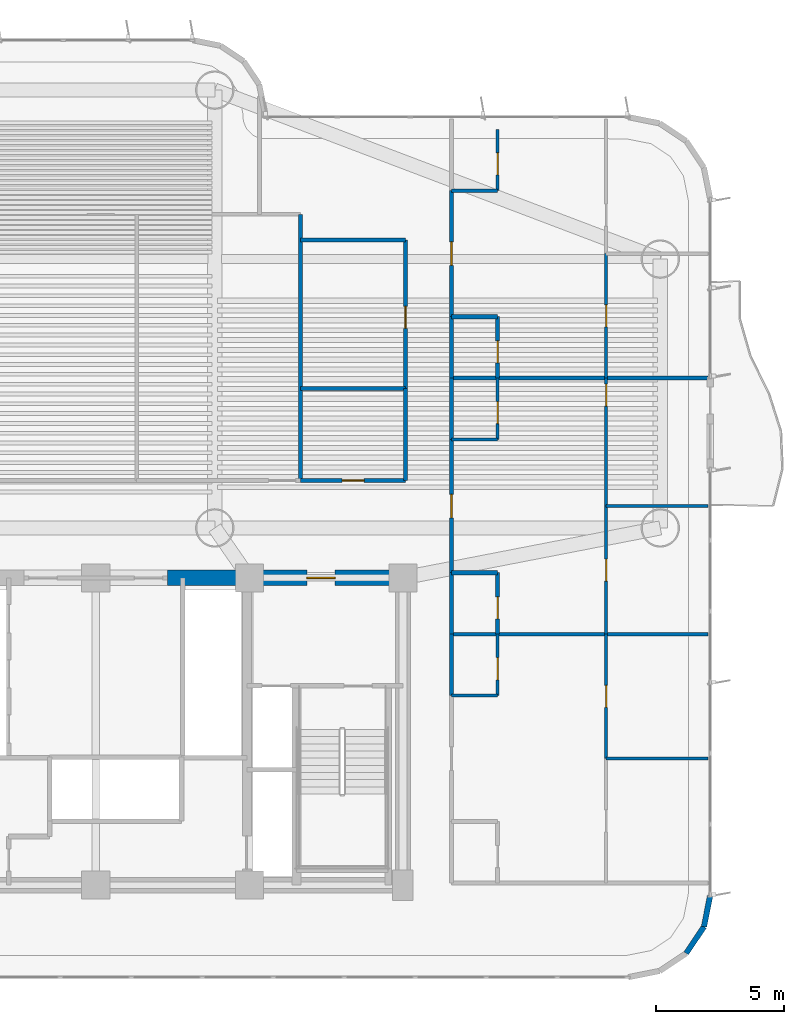
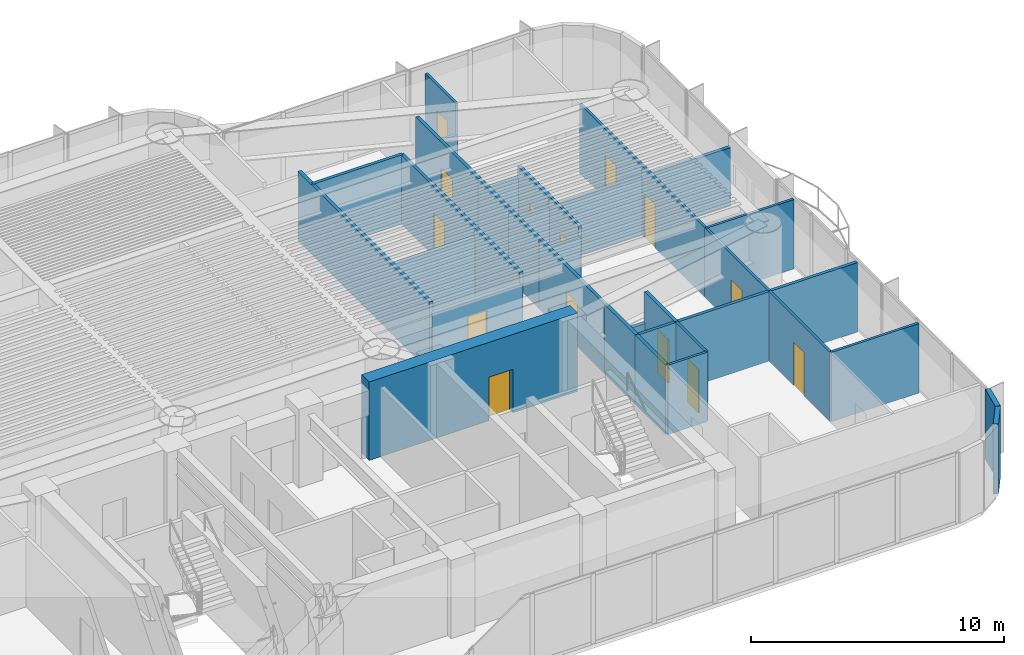
# One storey, part 11 of 17: 33 walls, 14 doors, 14 openings.
"""IFC4 building model written with IfcOpenShell, lengths in metres."""

from ifc_helpers import new_model, si_unit, direction, frame, frame_2d, origin, origin_2d, place, context, subcontext, project, spatial, rectangle, extrude, source, transform, mapped, material, layer, layer_set, type_object, element, fill, save


model = new_model("IFC4")

# Units and contexts
model_context = context("Model", 3, precision=1e-05, world=origin(), true_north=direction((0.0, 1.0)))
body_context = subcontext(model_context, "Body", "Model", "MODEL_VIEW")
ifc_project = project(units=[si_unit("LENGTHUNIT", "METRE"), si_unit("AREAUNIT", "SQUARE_METRE"), si_unit("VOLUMEUNIT", "CUBIC_METRE"), si_unit("PLANEANGLEUNIT", "RADIAN"), si_unit("MASSUNIT", "GRAM", prefix="KILO")], contexts=[model_context])

# Site, building, storey
site_placement = place(None, origin())
site = spatial("IfcSite", under=ifc_project, at=site_placement, CompositionType="ELEMENT")
building_placement = place(site_placement, origin())
building = spatial("IfcBuilding", under=site, at=building_placement, Name="Brelvock Crest Care Tower", CompositionType="ELEMENT")
storey_placement = place(building_placement, frame((0.0, 0.0, 76.139892578125)))
storey = spatial("IfcBuildingStorey", under=building, at=storey_placement, Name="L19", CompositionType="ELEMENT", Elevation=76.139892578125)

# Wall, opening, door
ifc_material_1 = material(Name="Concrete S80 (80 MPa)", Category="concrete")
ifc_layer_1 = layer(ifc_material_1, 0.60009765625, Name="WL-CS1")
ifc_layer_set_1 = layer_set([ifc_layer_1], Name="Concrete S80 (80 MPa)")
wall_type_1 = type_object("IfcWallType", Name="WL-CS1", PredefinedType="SHEAR", material=ifc_layer_set_1)
wall_1_placement = place(storey_placement, frame((38.800048828125, 18.0, 0.0), z_axis=(0.0, 0.0, 1.0), x_axis=(1.0, 0.0, 0.0)))
wall_1 = element("IfcWall", 1, at=wall_1_placement, inside=storey, type_object=wall_type_1, Name="L19 Core North-East Shear Wall", PredefinedType="SHEAR", context=body_context, shape_type="SweptSolid", body=[
    extrude(rectangle(XDim=9.5, YDim=0.60009765625, at=frame_2d((4.75, 0.0))), origin(), (0.0, 0.0, 1.0), 3.780029296875),
])
opening_1_placement = place(wall_1_placement, frame((5.449951171875, 0.0, 0.0)))
opening_1 = element("IfcOpeningElement", 2, at=opening_1_placement, cuts=wall_1, Name="Opening FD-1", PredefinedType="OPENING", context=body_context, shape_type="SweptSolid", body=[
    extrude(rectangle(XDim=1.10009765625, YDim=2.10009765625, at=origin_2d()), frame((0.550048828125, 0.31005859375, 1.050048828125), z_axis=(0.0, -1.0, 0.0), x_axis=(1.0, 0.0, 0.0)), (0.0, 0.0, 1.0), 0.6201171875),
])
ifc_material_2 = material(Name="Steel Grade 350", Category="steel")
door_type_1 = type_object("IfcDoorType", Name="DR-FFL1", OperationType="NOTDEFINED", PredefinedType="DOOR", material=ifc_material_2)
shared_shape_1 = source(origin(), body_context, "Body", "SweptSolid", [
    extrude(rectangle(XDim=1.10009765625, YDim=2.10009765625, at=origin_2d()), frame((0.550048828125, 0.02490234375, 1.050048828125), z_axis=(0.0, -1.0, 0.0), x_axis=(1.0, 0.0, 0.0)), (0.0, 0.0, 1.0), 0.050048828125),
])
door_1_placement = place(opening_1_placement, origin())
door_1 = element("IfcDoor", 3, at=door_1_placement, inside=storey, type_object=door_type_1, Name="L19 Firefighting Lobby FFL-2 Exit Door", OperationType="SINGLE_SWING_RIGHT", OverallHeight=2.10009765625, OverallWidth=1.10009765625, PredefinedType="DOOR", context=body_context, shape_type="MappedRepresentation", body=[
    mapped(shared_shape_1, transform((0.0, 0.0, 0.0), x_axis=(1.0, 0.0, 0.0), y_axis=(0.0, 1.0, 0.0), z_axis=(0.0, 0.0, 1.0), scale=1.0)),
])
fill(opening_1, door_1)

# Walls
ifc_material_3 = material(Name="Precast concrete N40 (40 MPa)", Category="concrete")
ifc_layer_2 = layer(ifc_material_3, 0.215087890625, Name="WL-EX2")
ifc_layer_set_2 = layer_set([ifc_layer_2], Name="Precast concrete N40 (40 MPa)")
wall_type_2 = type_object("IfcWallType", Name="WL-EX2", PredefinedType="SOLIDWALL", material=ifc_layer_set_2)
for number, where, z_axis, x_axis, name in (
    (4, (60.0, 5.60009765625, 0.0), (0.0, 0.0, 1.0), (-0.195138390419, -0.980775717779, 0.0), "L19 Rounded Corner Wall 04"),
    (5, (59.75634765625, 4.37548828125, 0.0), (0.0, 0.0, 1.0), (-0.555557312883, -0.831478245117, 0.0), "L19 Rounded Corner Wall 05"),
):
    element("IfcWall", number, at=place(storey_placement, frame(where, z_axis=z_axis, x_axis=x_axis)), inside=storey, type_object=wall_type_2, Name=name, PredefinedType="SOLIDWALL", context=body_context, shape_type="SweptSolid", body=[
        extrude(rectangle(XDim=1.24853515625, YDim=0.215087890625, at=frame_2d((0.624267578125, 0.0))), origin(), (0.0, 0.0, 1.0), 3.3720703125),
    ])
ifc_material_4 = material(Name="Masonry Blockwork Acoustic Partition", Category="masonry")
ifc_layer_3 = layer(ifc_material_4, 0.14990234375, Name="WL-INT1")
ifc_layer_set_3 = layer_set([ifc_layer_3], Name="Masonry Blockwork Acoustic Partition")
wall_type_3 = type_object("IfcWallType", Name="WL-INT1", PredefinedType="PARTITIONING", material=ifc_layer_set_3)
wall_2_placement = place(storey_placement, frame((49.89990234375, 15.800048828125, 0.0), z_axis=(0.0, 0.0, 1.0), x_axis=(1.0, 0.0, 0.0)))
element("IfcWall", 6, at=wall_2_placement, inside=storey, type_object=wall_type_3, Name="L19 Interior Wall WL-BX-L19-FL-EW1-N", PredefinedType="PARTITIONING", context=body_context, shape_type="SweptSolid", body=[
    extrude(rectangle(XDim=10.02001953125, YDim=0.14990234375, at=frame_2d((5.010009765625, 0.0))), origin(), (0.0, 0.0, 1.0), 3.342041015625),
])
wall_3_placement = place(storey_placement, frame((49.89990234375, 25.800048828125, 0.0), z_axis=(0.0, 0.0, 1.0), x_axis=(1.0, 0.0, 0.0)))
element("IfcWall", 7, at=wall_3_placement, inside=storey, type_object=wall_type_3, Name="L19 Interior Wall WL-BX-L19-FL-EW2-N", PredefinedType="PARTITIONING", context=body_context, shape_type="SweptSolid", body=[
    extrude(rectangle(XDim=10.02001953125, YDim=0.14990234375, at=frame_2d((5.010009765625, 0.0))), origin(), (0.0, 0.0, 1.0), 2.82421875),
])
wall_4_placement = place(storey_placement, frame((44.0, 31.199951171875, 0.0), z_axis=(0.0, 0.0, 1.0), x_axis=(1.0, 0.0, 0.0)))
element("IfcWall", 8, at=wall_4_placement, inside=storey, type_object=wall_type_3, Name="L19 Interior Wall WL-BX-L19-CKIT-N", PredefinedType="PARTITIONING", context=body_context, shape_type="SweptSolid", body=[
    extrude(rectangle(XDim=4.10009765625, YDim=0.14990234375, at=frame_2d((2.050048828125, 0.0))), origin(), (0.0, 0.0, 1.0), 3.342041015625),
])

# Wall, opening, door
wall_5_placement = place(storey_placement, frame((48.10009765625, 25.39990234375, 0.0), z_axis=(0.0, 0.0, 1.0), x_axis=(0.0, 1.0, 0.0)))
wall_5 = element("IfcWall", 9, at=wall_5_placement, inside=storey, type_object=wall_type_3, Name="L19 Interior Wall WL-RM-L19-CKIT", PredefinedType="PARTITIONING", context=body_context, shape_type="SweptSolid", body=[
    extrude(rectangle(XDim=5.800048828125, YDim=0.14990234375, at=frame_2d((2.89990234375, 0.0))), origin(), (0.0, 0.0, 1.0), 3.342041015625),
])
opening_2_placement = place(wall_5_placement, frame((2.340087890625, 0.0, 0.0)))
opening_2 = element("IfcOpeningElement", 10, at=opening_2_placement, cuts=wall_5, Name="Opening ID-1", PredefinedType="OPENING", context=body_context, shape_type="SweptSolid", body=[
    extrude(rectangle(XDim=0.860107421875, YDim=2.10009765625, at=origin_2d()), frame((0.43017578125, 0.0849609375, 1.050048828125), z_axis=(0.0, -1.0, 0.0), x_axis=(1.0, 0.0, 0.0)), (0.0, 0.0, 1.0), 0.169921875),
])
ifc_material_5 = material(Name="Engineered Hardwood Timber", Category="wood")
door_type_2 = type_object("IfcDoorType", Name="DR-INT1", OperationType="NOTDEFINED", PredefinedType="DOOR", material=ifc_material_5)
shared_shape_2 = source(origin(), body_context, "Body", "SweptSolid", [
    extrude(rectangle(XDim=0.860107421875, YDim=2.10009765625, at=origin_2d()), frame((0.43017578125, 0.02490234375, 1.050048828125), z_axis=(0.0, -1.0, 0.0), x_axis=(1.0, 0.0, 0.0)), (0.0, 0.0, 1.0), 0.050048828125),
])
door_2_placement = place(opening_2_placement, origin())
door_2 = element("IfcDoor", 11, at=door_2_placement, inside=storey, type_object=door_type_2, Name="L19 Neighbourhood Pantry Kitchen Door CKIT", OperationType="SINGLE_SWING_LEFT", OverallHeight=2.10009765625, OverallWidth=0.860107421875, PredefinedType="DOOR", context=body_context, shape_type="MappedRepresentation", body=[
    mapped(shared_shape_2, transform((0.0, 0.0, 0.0), x_axis=(1.0, 0.0, 0.0), y_axis=(0.0, 1.0, 0.0), z_axis=(0.0, 0.0, 1.0), scale=1.0)),
])
fill(opening_2, door_2)

# Wall
wall_6_placement = place(storey_placement, frame((49.89990234375, 13.39990234375, 0.0), z_axis=(0.0, 0.0, 1.0), x_axis=(0.0, 1.0, 0.0)))
element("IfcWall", 12, at=wall_6_placement, inside=storey, type_object=wall_type_3, Name="L19 Interior Wall WL-UCK-L19-EW1", PredefinedType="PARTITIONING", context=body_context, shape_type="SweptSolid", body=[
    extrude(rectangle(XDim=2.400146484375, YDim=0.14990234375, at=frame_2d((1.2001953125, 0.0))), origin(), (0.0, 0.0, 1.0), 3.342041015625),
])

# Wall, opening, door
wall_7_placement = place(storey_placement, frame((49.89990234375, 18.199951171875, 0.0), z_axis=(0.0, 0.0, 1.0), x_axis=(0.0, 1.0, 0.0)))
wall_7 = element("IfcWall", 13, at=wall_7_placement, inside=storey, type_object=wall_type_3, Name="L19 Interior Wall WL-UENT-L19-EW2", PredefinedType="PARTITIONING", context=body_context, shape_type="SweptSolid", body=[
    extrude(rectangle(XDim=5.199951171875, YDim=0.14990234375, at=frame_2d((2.60009765625, 0.0))), origin(), (0.0, 0.0, 1.0), 3.342041015625),
])
opening_3_placement = place(wall_7_placement, frame((2.139892578125, 0.0, 0.0)))
opening_3 = element("IfcOpeningElement", 14, at=opening_3_placement, cuts=wall_7, Name="Opening AD-1", PredefinedType="OPENING", context=body_context, shape_type="SweptSolid", body=[
    extrude(rectangle(XDim=0.919921875, YDim=2.10009765625, at=origin_2d()), frame((0.4599609375, 0.0849609375, 1.050048828125), z_axis=(0.0, -1.0, 0.0), x_axis=(1.0, 0.0, 0.0)), (0.0, 0.0, 1.0), 0.169921875),
])
door_type_3 = type_object("IfcDoorType", Name="DR-APT1", OperationType="NOTDEFINED", PredefinedType="DOOR", material=ifc_material_5)
shared_shape_3 = source(origin(), body_context, "Body", "SweptSolid", [
    extrude(rectangle(XDim=0.919921875, YDim=2.10009765625, at=origin_2d()), frame((0.4599609375, 0.02490234375, 1.050048828125), z_axis=(0.0, -1.0, 0.0), x_axis=(1.0, 0.0, 0.0)), (0.0, 0.0, 1.0), 0.050048828125),
])
door_3_placement = place(opening_3_placement, origin())
door_3 = element("IfcDoor", 15, at=door_3_placement, inside=storey, type_object=door_type_3, Name="L19 Apartment Entrance EW2", OperationType="SINGLE_SWING_LEFT", OverallHeight=2.10009765625, OverallWidth=0.919921875, PredefinedType="DOOR", context=body_context, shape_type="MappedRepresentation", body=[
    mapped(shared_shape_3, transform((0.0, 0.0, 0.0), x_axis=(1.0, 0.0, 0.0), y_axis=(0.0, 1.0, 0.0), z_axis=(0.0, 0.0, 1.0), scale=1.0)),
])
fill(opening_3, door_3)

# Wall
wall_8_placement = place(storey_placement, frame((49.89990234375, 23.39990234375, 0.0), z_axis=(0.0, 0.0, 1.0), x_axis=(0.0, 1.0, 0.0)))
element("IfcWall", 16, at=wall_8_placement, inside=storey, type_object=wall_type_3, Name="L19 Interior Wall WL-UCK-L19-EW2", PredefinedType="PARTITIONING", context=body_context, shape_type="SweptSolid", body=[
    extrude(rectangle(XDim=2.400146484375, YDim=0.14990234375, at=frame_2d((1.2001953125, 0.0))), origin(), (0.0, 0.0, 1.0), 3.342041015625),
])

# Wall, opening, door
wall_9_placement = place(storey_placement, frame((49.89990234375, 28.199951171875, 0.0), z_axis=(0.0, 0.0, 1.0), x_axis=(0.0, 1.0, 0.0)))
wall_9 = element("IfcWall", 17, at=wall_9_placement, inside=storey, type_object=wall_type_3, Name="L19 Interior Wall WL-UENT-L19-EW3", PredefinedType="PARTITIONING", context=body_context, shape_type="SweptSolid", body=[
    extrude(rectangle(XDim=4.920166015625, YDim=0.14990234375, at=frame_2d((2.4599609375, 0.0))), origin(), (0.0, 0.0, 1.0), 3.342041015625),
])
opening_4_placement = place(wall_9_placement, frame((2.0, 0.0, 0.0)))
opening_4 = element("IfcOpeningElement", 18, at=opening_4_placement, cuts=wall_9, Name="Opening AD-1", PredefinedType="OPENING", context=body_context, shape_type="SweptSolid", body=[
    extrude(rectangle(XDim=0.919921875, YDim=2.10009765625, at=origin_2d()), frame((0.4599609375, 0.0849609375, 1.050048828125), z_axis=(0.0, -1.0, 0.0), x_axis=(1.0, 0.0, 0.0)), (0.0, 0.0, 1.0), 0.169921875),
])
door_4_placement = place(opening_4_placement, origin())
door_4 = element("IfcDoor", 19, at=door_4_placement, inside=storey, type_object=door_type_3, Name="L19 Apartment Entrance EW3", OperationType="SINGLE_SWING_LEFT", OverallHeight=2.10009765625, OverallWidth=0.919921875, PredefinedType="DOOR", context=body_context, shape_type="MappedRepresentation", body=[
    mapped(shared_shape_3, transform((0.0, 0.0, 0.0), x_axis=(1.0, 0.0, 0.0), y_axis=(0.0, 1.0, 0.0), z_axis=(0.0, 0.0, 1.0), scale=1.0)),
])
fill(opening_4, door_4)

# Walls
ifc_material_6 = material(Name="Gypsum Plasterboard Partition", Category="gypsum")
ifc_layer_4 = layer(ifc_material_6, 0.1201171875, Name="WL-INT2")
ifc_layer_set_4 = layer_set([ifc_layer_4], Name="Gypsum Plasterboard Partition")
wall_type_4 = type_object("IfcWallType", Name="WL-INT2", PredefinedType="PARTITIONING", material=ifc_layer_set_4)
wall_10_placement = place(storey_placement, frame((55.93603515625, 10.93994140625, 0.0), z_axis=(0.0, 0.0, 1.0), x_axis=(1.0, 0.0, 0.0)))
element("IfcWall", 20, at=wall_10_placement, inside=storey, type_object=wall_type_4, Name="L19 Interior Wall WL-UBSP-L19-EW1", PredefinedType="PARTITIONING", context=body_context, shape_type="SweptSolid", body=[
    extrude(rectangle(XDim=3.98388671875, YDim=0.1201171875, at=frame_2d((1.991943359375, 0.0))), origin(), (0.0, 0.0, 1.0), 3.342041015625),
])
wall_11_placement = place(storey_placement, frame((49.89990234375, 13.39990234375, 0.0), z_axis=(0.0, 0.0, 1.0), x_axis=(1.0, 0.0, 0.0)))
element("IfcWall", 21, at=wall_11_placement, inside=storey, type_object=wall_type_4, Name="L19 Interior Wall WL-UKIT2-L19-EW1", PredefinedType="PARTITIONING", context=body_context, shape_type="SweptSolid", body=[
    extrude(rectangle(XDim=1.800048828125, YDim=0.1201171875, at=frame_2d((0.89990234375, 0.0))), origin(), (0.0, 0.0, 1.0), 3.342041015625),
])
wall_12_placement = place(storey_placement, frame((55.93603515625, 20.800048828125, 0.0), z_axis=(0.0, 0.0, 1.0), x_axis=(1.0, 0.0, 0.0)))
element("IfcWall", 22, at=wall_12_placement, inside=storey, type_object=wall_type_4, Name="L19 Interior Wall WL-UBSP-L19-EW2", PredefinedType="PARTITIONING", context=body_context, shape_type="SweptSolid", body=[
    extrude(rectangle(XDim=3.98388671875, YDim=0.1201171875, at=frame_2d((1.991943359375, 0.0))), origin(), (0.0, 0.0, 1.0), 3.342041015625),
])
wall_13_placement = place(storey_placement, frame((49.89990234375, 23.39990234375, 0.0), z_axis=(0.0, 0.0, 1.0), x_axis=(1.0, 0.0, 0.0)))
element("IfcWall", 23, at=wall_13_placement, inside=storey, type_object=wall_type_4, Name="L19 Interior Wall WL-UKIT2-L19-EW2", PredefinedType="PARTITIONING", context=body_context, shape_type="SweptSolid", body=[
    extrude(rectangle(XDim=1.800048828125, YDim=0.1201171875, at=frame_2d((0.89990234375, 0.0))), origin(), (0.0, 0.0, 1.0), 2.82421875),
])
wall_14_placement = place(storey_placement, frame((49.89990234375, 33.1201171875, 0.0), z_axis=(0.0, 0.0, 1.0), x_axis=(1.0, 0.0, 0.0)))
element("IfcWall", 24, at=wall_14_placement, inside=storey, type_object=wall_type_4, Name="L19 Interior Wall WL-UKIT2-L19-EW3", PredefinedType="PARTITIONING", context=body_context, shape_type="SweptSolid", body=[
    extrude(rectangle(XDim=1.800048828125, YDim=0.1201171875, at=frame_2d((0.89990234375, 0.0))), origin(), (0.0, 0.0, 1.0), 1.857177734375),
])

# Wall, opening, door
wall_15_placement = place(storey_placement, frame((51.699951171875, 13.39990234375, 0.0), z_axis=(0.0, 0.0, 1.0), x_axis=(0.0, 1.0, 0.0)))
wall_15 = element("IfcWall", 25, at=wall_15_placement, inside=storey, type_object=wall_type_4, Name="L19 Interior Wall WL-UKIT1-L19-EW1", PredefinedType="PARTITIONING", context=body_context, shape_type="SweptSolid", body=[
    extrude(rectangle(XDim=2.400146484375, YDim=0.1201171875, at=frame_2d((1.2001953125, 0.0))), origin(), (0.0, 0.0, 1.0), 3.342041015625),
])
opening_5_placement = place(wall_15_placement, frame((0.6201171875, 0.0, 0.0)))
opening_5 = element("IfcOpeningElement", 26, at=opening_5_placement, cuts=wall_15, Name="Opening ID-1", PredefinedType="OPENING", context=body_context, shape_type="SweptSolid", body=[
    extrude(rectangle(XDim=0.860107421875, YDim=2.10009765625, at=origin_2d()), frame((0.43017578125, 0.070068359375, 1.050048828125), z_axis=(0.0, -1.0, 0.0), x_axis=(1.0, 0.0, 0.0)), (0.0, 0.0, 1.0), 0.14013671875),
])
door_5_placement = place(opening_5_placement, origin())
door_5 = element("IfcDoor", 27, at=door_5_placement, inside=storey, type_object=door_type_2, Name="L19 Kitchen Door EW1", OperationType="SINGLE_SWING_RIGHT", OverallHeight=2.10009765625, OverallWidth=0.860107421875, PredefinedType="DOOR", context=body_context, shape_type="MappedRepresentation", body=[
    mapped(shared_shape_2, transform((0.0, 0.0, 0.0), x_axis=(1.0, 0.0, 0.0), y_axis=(0.0, 1.0, 0.0), z_axis=(0.0, 0.0, 1.0), scale=1.0)),
])
fill(opening_5, door_5)

wall_16_placement = place(storey_placement, frame((51.699951171875, 23.39990234375, 0.0), z_axis=(0.0, 0.0, 1.0), x_axis=(0.0, 1.0, 0.0)))
wall_16 = element("IfcWall", 28, at=wall_16_placement, inside=storey, type_object=wall_type_4, Name="L19 Interior Wall WL-UKIT1-L19-EW2", PredefinedType="PARTITIONING", context=body_context, shape_type="SweptSolid", body=[
    extrude(rectangle(XDim=2.400146484375, YDim=0.1201171875, at=frame_2d((1.2001953125, 0.0))), origin(), (0.0, 0.0, 1.0), 3.342041015625),
])
opening_6_placement = place(wall_16_placement, frame((0.6201171875, 0.0, 0.0)))
opening_6 = element("IfcOpeningElement", 29, at=opening_6_placement, cuts=wall_16, Name="Opening ID-1", PredefinedType="OPENING", context=body_context, shape_type="SweptSolid", body=[
    extrude(rectangle(XDim=0.860107421875, YDim=2.10009765625, at=origin_2d()), frame((0.43017578125, 0.070068359375, 1.050048828125), z_axis=(0.0, -1.0, 0.0), x_axis=(1.0, 0.0, 0.0)), (0.0, 0.0, 1.0), 0.14013671875),
])
door_6_placement = place(opening_6_placement, origin())
door_6 = element("IfcDoor", 30, at=door_6_placement, inside=storey, type_object=door_type_2, Name="L19 Kitchen Door EW2", OperationType="SINGLE_SWING_RIGHT", OverallHeight=2.10009765625, OverallWidth=0.860107421875, PredefinedType="DOOR", context=body_context, shape_type="MappedRepresentation", body=[
    mapped(shared_shape_2, transform((0.0, 0.0, 0.0), x_axis=(1.0, 0.0, 0.0), y_axis=(0.0, 1.0, 0.0), z_axis=(0.0, 0.0, 1.0), scale=1.0)),
])
fill(opening_6, door_6)

wall_17_placement = place(storey_placement, frame((51.699951171875, 33.1201171875, 0.0), z_axis=(0.0, 0.0, 1.0), x_axis=(0.0, 1.0, 0.0)))
wall_17 = element("IfcWall", 31, at=wall_17_placement, inside=storey, type_object=wall_type_4, Name="L19 Interior Wall WL-UKIT1-L19-EW3", PredefinedType="PARTITIONING", context=body_context, shape_type="SweptSolid", body=[
    extrude(rectangle(XDim=2.39990234375, YDim=0.1201171875, at=frame_2d((1.199951171875, 0.0))), origin(), (0.0, 0.0, 1.0), 3.342041015625),
])
opening_7_placement = place(wall_17_placement, frame((0.6201171875, 0.0, 0.0)))
opening_7 = element("IfcOpeningElement", 32, at=opening_7_placement, cuts=wall_17, Name="Opening ID-1", PredefinedType="OPENING", context=body_context, shape_type="SweptSolid", body=[
    extrude(rectangle(XDim=0.860107421875, YDim=2.10009765625, at=origin_2d()), frame((0.43017578125, 0.070068359375, 1.050048828125), z_axis=(0.0, -1.0, 0.0), x_axis=(1.0, 0.0, 0.0)), (0.0, 0.0, 1.0), 0.14013671875),
])
door_7_placement = place(opening_7_placement, origin())
door_7 = element("IfcDoor", 33, at=door_7_placement, inside=storey, type_object=door_type_2, Name="L19 Kitchen Door EW3", OperationType="SINGLE_SWING_RIGHT", OverallHeight=2.10009765625, OverallWidth=0.860107421875, PredefinedType="DOOR", context=body_context, shape_type="MappedRepresentation", body=[
    mapped(shared_shape_2, transform((0.0, 0.0, 0.0), x_axis=(1.0, 0.0, 0.0), y_axis=(0.0, 1.0, 0.0), z_axis=(0.0, 0.0, 1.0), scale=1.0)),
])
fill(opening_7, door_7)

wall_18_placement = place(storey_placement, frame((55.93603515625, 10.93994140625, 0.0), z_axis=(0.0, 0.0, 1.0), x_axis=(0.0, 1.0, 0.0)))
wall_18 = element("IfcWall", 34, at=wall_18_placement, inside=storey, type_object=wall_type_4, Name="L19 Interior Wall WL-UBD2-L19-EW1", PredefinedType="PARTITIONING", context=body_context, shape_type="SweptSolid", body=[
    extrude(rectangle(XDim=4.860107421875, YDim=0.1201171875, at=frame_2d((2.43017578125, 0.0))), origin(), (0.0, 0.0, 1.0), 3.342041015625),
])
opening_8_placement = place(wall_18_placement, frame((2.0, 0.0, 0.0)))
opening_8 = element("IfcOpeningElement", 35, at=opening_8_placement, cuts=wall_18, Name="Opening ID-1", PredefinedType="OPENING", context=body_context, shape_type="SweptSolid", body=[
    extrude(rectangle(XDim=0.860107421875, YDim=2.10009765625, at=origin_2d()), frame((0.43017578125, 0.070068359375, 1.050048828125), z_axis=(0.0, -1.0, 0.0), x_axis=(1.0, 0.0, 0.0)), (0.0, 0.0, 1.0), 0.14013671875),
])
door_8_placement = place(opening_8_placement, origin())
door_8 = element("IfcDoor", 36, at=door_8_placement, inside=storey, type_object=door_type_2, Name="L19 Second Room Door EW1", OperationType="SINGLE_SWING_LEFT", OverallHeight=2.10009765625, OverallWidth=0.860107421875, PredefinedType="DOOR", context=body_context, shape_type="MappedRepresentation", body=[
    mapped(shared_shape_2, transform((0.0, 0.0, 0.0), x_axis=(1.0, 0.0, 0.0), y_axis=(0.0, 1.0, 0.0), z_axis=(0.0, 0.0, 1.0), scale=1.0)),
])
fill(opening_8, door_8)

wall_19_placement = place(storey_placement, frame((55.93603515625, 15.800048828125, 0.0), z_axis=(0.0, 0.0, 1.0), x_axis=(0.0, 1.0, 0.0)))
wall_19 = element("IfcWall", 37, at=wall_19_placement, inside=storey, type_object=wall_type_4, Name="L19 Interior Wall WL-UBD1-L19-EW2", PredefinedType="PARTITIONING", context=body_context, shape_type="SweptSolid", body=[
    extrude(rectangle(XDim=5.0, YDim=0.1201171875, at=frame_2d((2.5, 0.0))), origin(), (0.0, 0.0, 1.0), 3.342041015625),
])
opening_9_placement = place(wall_19_placement, frame((2.070068359375, 0.0, 0.0)))
opening_9 = element("IfcOpeningElement", 38, at=opening_9_placement, cuts=wall_19, Name="Opening ID-1", PredefinedType="OPENING", context=body_context, shape_type="SweptSolid", body=[
    extrude(rectangle(XDim=0.860107421875, YDim=2.10009765625, at=origin_2d()), frame((0.43017578125, 0.070068359375, 1.050048828125), z_axis=(0.0, -1.0, 0.0), x_axis=(1.0, 0.0, 0.0)), (0.0, 0.0, 1.0), 0.14013671875),
])
door_9_placement = place(opening_9_placement, origin())
door_9 = element("IfcDoor", 39, at=door_9_placement, inside=storey, type_object=door_type_2, Name="L19 Primary Bedroom Door EW2", OperationType="SINGLE_SWING_RIGHT", OverallHeight=2.10009765625, OverallWidth=0.860107421875, PredefinedType="DOOR", context=body_context, shape_type="MappedRepresentation", body=[
    mapped(shared_shape_2, transform((0.0, 0.0, 0.0), x_axis=(1.0, 0.0, 0.0), y_axis=(0.0, 1.0, 0.0), z_axis=(0.0, 0.0, 1.0), scale=1.0)),
])
fill(opening_9, door_9)

wall_20_placement = place(storey_placement, frame((55.93603515625, 20.800048828125, 0.0), z_axis=(0.0, 0.0, 1.0), x_axis=(0.0, 1.0, 0.0)))
wall_20 = element("IfcWall", 40, at=wall_20_placement, inside=storey, type_object=wall_type_4, Name="L19 Interior Wall WL-UBD2-L19-EW2", PredefinedType="PARTITIONING", context=body_context, shape_type="SweptSolid", body=[
    extrude(rectangle(XDim=5.0, YDim=0.1201171875, at=frame_2d((2.5, 0.0))), origin(), (0.0, 0.0, 1.0), 3.342041015625),
])
opening_10_placement = place(wall_20_placement, frame((3.909912109375, 0.0, 0.0)))
opening_10 = element("IfcOpeningElement", 41, at=opening_10_placement, cuts=wall_20, Name="Opening ID-1", PredefinedType="OPENING", context=body_context, shape_type="SweptSolid", body=[
    extrude(rectangle(XDim=0.860107421875, YDim=2.10009765625, at=origin_2d()), frame((0.43017578125, 0.070068359375, 1.050048828125), z_axis=(0.0, -1.0, 0.0), x_axis=(1.0, 0.0, 0.0)), (0.0, 0.0, 1.0), 0.14013671875),
])
door_10_placement = place(opening_10_placement, origin())
door_10 = element("IfcDoor", 42, at=door_10_placement, inside=storey, type_object=door_type_2, Name="L19 Second Room Door EW2", OperationType="SINGLE_SWING_LEFT", OverallHeight=2.10009765625, OverallWidth=0.860107421875, PredefinedType="DOOR", context=body_context, shape_type="MappedRepresentation", body=[
    mapped(shared_shape_2, transform((0.0, 0.0, 0.0), x_axis=(1.0, 0.0, 0.0), y_axis=(0.0, 1.0, 0.0), z_axis=(0.0, 0.0, 1.0), scale=1.0)),
])
fill(opening_10, door_10)

wall_21_placement = place(storey_placement, frame((55.93603515625, 25.800048828125, 0.0), z_axis=(0.0, 0.0, 1.0), x_axis=(0.0, 1.0, 0.0)))
wall_21 = element("IfcWall", 43, at=wall_21_placement, inside=storey, type_object=wall_type_4, Name="L19 Interior Wall WL-UBD1-L19-EW3", PredefinedType="PARTITIONING", context=body_context, shape_type="SweptSolid", body=[
    extrude(rectangle(XDim=4.85986328125, YDim=0.1201171875, at=frame_2d((2.429931640625, 0.0))), origin(), (0.0, 0.0, 1.0), 3.342041015625),
])
opening_11_placement = place(wall_21_placement, frame((2.0, 0.0, 0.0)))
opening_11 = element("IfcOpeningElement", 44, at=opening_11_placement, cuts=wall_21, Name="Opening ID-1", PredefinedType="OPENING", context=body_context, shape_type="SweptSolid", body=[
    extrude(rectangle(XDim=0.860107421875, YDim=2.10009765625, at=origin_2d()), frame((0.43017578125, 0.070068359375, 1.050048828125), z_axis=(0.0, -1.0, 0.0), x_axis=(1.0, 0.0, 0.0)), (0.0, 0.0, 1.0), 0.14013671875),
])
door_11_placement = place(opening_11_placement, origin())
door_11 = element("IfcDoor", 45, at=door_11_placement, inside=storey, type_object=door_type_2, Name="L19 Primary Bedroom Door EW3", OperationType="SINGLE_SWING_RIGHT", OverallHeight=2.10009765625, OverallWidth=0.860107421875, PredefinedType="DOOR", context=body_context, shape_type="MappedRepresentation", body=[
    mapped(shared_shape_2, transform((0.0, 0.0, 0.0), x_axis=(1.0, 0.0, 0.0), y_axis=(0.0, 1.0, 0.0), z_axis=(0.0, 0.0, 1.0), scale=1.0)),
])
fill(opening_11, door_11)

# Wall
ifc_layer_5 = layer(ifc_material_6, 0.159912109375, Name="WL-PLM1")
ifc_layer_set_5 = layer_set([ifc_layer_5], Name="Gypsum Plasterboard Partition")
wall_type_5 = type_object("IfcWallType", Name="WL-PLM1", PredefinedType="PLUMBINGWALL", material=ifc_layer_set_5)
wall_22_placement = place(storey_placement, frame((49.89990234375, 18.199951171875, 0.0), z_axis=(0.0, 0.0, 1.0), x_axis=(1.0, 0.0, 0.0)))
element("IfcWall", 46, at=wall_22_placement, inside=storey, type_object=wall_type_5, Name="L19 Interior Wall WL-UBTH2-L19-EW2", PredefinedType="PLUMBINGWALL", context=body_context, shape_type="SweptSolid", body=[
    extrude(rectangle(XDim=1.800048828125, YDim=0.159912109375, at=frame_2d((0.89990234375, 0.0))), origin(), (0.0, 0.0, 1.0), 1.857177734375),
])

# Wall, opening, door
wall_23_placement = place(storey_placement, frame((44.0, 21.800048828125, 0.0), z_axis=(0.0, 0.0, 1.0), x_axis=(1.0, 0.0, 0.0)))
wall_23 = element("IfcWall", 47, at=wall_23_placement, inside=storey, type_object=wall_type_5, Name="L19 Interior Wall WL-RM-L19-CAWC", PredefinedType="PLUMBINGWALL", context=body_context, shape_type="SweptSolid", body=[
    extrude(rectangle(XDim=4.10009765625, YDim=0.159912109375, at=frame_2d((2.050048828125, 0.0))), origin(), (0.0, 0.0, 1.0), 2.82421875),
])
opening_12_placement = place(wall_23_placement, frame((1.6201171875, 0.0, 0.0)))
opening_12 = element("IfcOpeningElement", 48, at=opening_12_placement, cuts=wall_23, Name="Opening WD-1", PredefinedType="OPENING", context=body_context, shape_type="SweptSolid", body=[
    extrude(rectangle(XDim=0.860107421875, YDim=2.10009765625, at=origin_2d()), frame((0.43017578125, 0.08984375, 1.050048828125), z_axis=(0.0, -1.0, 0.0), x_axis=(1.0, 0.0, 0.0)), (0.0, 0.0, 1.0), 0.179931640625),
])
door_type_4 = type_object("IfcDoorType", Name="DR-WC1", OperationType="NOTDEFINED", PredefinedType="DOOR", material=ifc_material_5)
shared_shape_4 = source(origin(), body_context, "Body", "SweptSolid", [
    extrude(rectangle(XDim=0.860107421875, YDim=2.10009765625, at=origin_2d()), frame((0.43017578125, 0.02490234375, 1.050048828125), z_axis=(0.0, -1.0, 0.0), x_axis=(1.0, 0.0, 0.0)), (0.0, 0.0, 1.0), 0.050048828125),
])
door_12_placement = place(opening_12_placement, origin())
door_12 = element("IfcDoor", 49, at=door_12_placement, inside=storey, type_object=door_type_4, Name="L19 Floor Accessible WC Door CAWC", OperationType="SINGLE_SWING_LEFT", OverallHeight=2.10009765625, OverallWidth=0.860107421875, PredefinedType="DOOR", context=body_context, shape_type="MappedRepresentation", body=[
    mapped(shared_shape_4, transform((0.0, 0.0, 0.0), x_axis=(1.0, 0.0, 0.0), y_axis=(0.0, 1.0, 0.0), z_axis=(0.0, 0.0, 1.0), scale=1.0)),
])
fill(opening_12, door_12)

# Walls
wall_24_placement = place(storey_placement, frame((44.0, 25.39990234375, 0.0), z_axis=(0.0, 0.0, 1.0), x_axis=(1.0, 0.0, 0.0)))
element("IfcWall", 50, at=wall_24_placement, inside=storey, type_object=wall_type_5, Name="L19 Interior Wall WL-BX-L19-CAWC-N", PredefinedType="PLUMBINGWALL", context=body_context, shape_type="SweptSolid", body=[
    extrude(rectangle(XDim=4.10009765625, YDim=0.159912109375, at=frame_2d((2.050048828125, 0.0))), origin(), (0.0, 0.0, 1.0), 2.897216796875),
])
wall_25_placement = place(storey_placement, frame((49.89990234375, 28.199951171875, 0.0), z_axis=(0.0, 0.0, 1.0), x_axis=(1.0, 0.0, 0.0)))
element("IfcWall", 51, at=wall_25_placement, inside=storey, type_object=wall_type_5, Name="L19 Interior Wall WL-UBTH2-L19-EW3", PredefinedType="PLUMBINGWALL", context=body_context, shape_type="SweptSolid", body=[
    extrude(rectangle(XDim=1.800048828125, YDim=0.159912109375, at=frame_2d((0.89990234375, 0.0))), origin(), (0.0, 0.0, 1.0), 2.82421875),
])
wall_26_placement = place(storey_placement, frame((44.0, 21.800048828125, 0.0), z_axis=(0.0, 0.0, 1.0), x_axis=(0.0, 1.0, 0.0)))
element("IfcWall", 52, at=wall_26_placement, inside=storey, type_object=wall_type_5, Name="L19 Interior Wall WL-BX-L19-CNE-E", PredefinedType="PLUMBINGWALL", context=body_context, shape_type="SweptSolid", body=[
    extrude(rectangle(XDim=10.39990234375, YDim=0.159912109375, at=frame_2d((5.199951171875, 0.0))), origin(), (0.0, 0.0, 1.0), 3.342041015625),
])
wall_27_placement = place(storey_placement, frame((48.10009765625, 21.800048828125, 0.0), z_axis=(0.0, 0.0, 1.0), x_axis=(0.0, 1.0, 0.0)))
element("IfcWall", 53, at=wall_27_placement, inside=storey, type_object=wall_type_5, Name="L19 Interior Wall WL-BX-L19-CAWC-E", PredefinedType="PLUMBINGWALL", context=body_context, shape_type="SweptSolid", body=[
    extrude(rectangle(XDim=3.599853515625, YDim=0.159912109375, at=frame_2d((1.7998046875, 0.0))), origin(), (0.0, 0.0, 1.0), 3.342041015625),
])
for number, where, z_axis, x_axis, name in (
    (54, (49.89990234375, 15.800048828125, 0.0), (0.0, 0.0, 1.0), (0.0, 1.0, 0.0), "L19 Interior Wall WL-UCB-L19-EW2"),
    (55, (49.89990234375, 25.800048828125, 0.0), (0.0, 0.0, 1.0), (0.0, 1.0, 0.0), "L19 Interior Wall WL-UCB-L19-EW3"),
):
    element("IfcWall", number, at=place(storey_placement, frame(where, z_axis=z_axis, x_axis=x_axis)), inside=storey, type_object=wall_type_5, Name=name, PredefinedType="PLUMBINGWALL", context=body_context, shape_type="SweptSolid", body=[
        extrude(rectangle(XDim=2.39990234375, YDim=0.159912109375, at=frame_2d((1.199951171875, 0.0))), origin(), (0.0, 0.0, 1.0), 3.342041015625),
    ])

# Wall, opening, door
wall_28_placement = place(storey_placement, frame((51.699951171875, 15.800048828125, 0.0), z_axis=(0.0, 0.0, 1.0), x_axis=(0.0, 1.0, 0.0)))
wall_28 = element("IfcWall", 56, at=wall_28_placement, inside=storey, type_object=wall_type_5, Name="L19 Interior Wall WL-UBTH1-L19-EW2", PredefinedType="PLUMBINGWALL", context=body_context, shape_type="SweptSolid", body=[
    extrude(rectangle(XDim=2.39990234375, YDim=0.159912109375, at=frame_2d((1.199951171875, 0.0))), origin(), (0.0, 0.0, 1.0), 3.342041015625),
])
opening_13_placement = place(wall_28_placement, frame((0.60009765625, 0.0, 0.0)))
opening_13 = element("IfcOpeningElement", 57, at=opening_13_placement, cuts=wall_28, Name="Opening WD-1", PredefinedType="OPENING", context=body_context, shape_type="SweptSolid", body=[
    extrude(rectangle(XDim=0.860107421875, YDim=2.10009765625, at=origin_2d()), frame((0.43017578125, 0.08984375, 1.050048828125), z_axis=(0.0, -1.0, 0.0), x_axis=(1.0, 0.0, 0.0)), (0.0, 0.0, 1.0), 0.179931640625),
])
door_13_placement = place(opening_13_placement, origin())
door_13 = element("IfcDoor", 58, at=door_13_placement, inside=storey, type_object=door_type_4, Name="L19 Bathroom Door EW2", OperationType="SINGLE_SWING_LEFT", OverallHeight=2.10009765625, OverallWidth=0.860107421875, PredefinedType="DOOR", context=body_context, shape_type="MappedRepresentation", body=[
    mapped(shared_shape_4, transform((0.0, 0.0, 0.0), x_axis=(1.0, 0.0, 0.0), y_axis=(0.0, 1.0, 0.0), z_axis=(0.0, 0.0, 1.0), scale=1.0)),
])
fill(opening_13, door_13)

wall_29_placement = place(storey_placement, frame((51.699951171875, 25.800048828125, 0.0), z_axis=(0.0, 0.0, 1.0), x_axis=(0.0, 1.0, 0.0)))
wall_29 = element("IfcWall", 59, at=wall_29_placement, inside=storey, type_object=wall_type_5, Name="L19 Interior Wall WL-UBTH1-L19-EW3", PredefinedType="PLUMBINGWALL", context=body_context, shape_type="SweptSolid", body=[
    extrude(rectangle(XDim=2.39990234375, YDim=0.159912109375, at=frame_2d((1.199951171875, 0.0))), origin(), (0.0, 0.0, 1.0), 3.342041015625),
])
opening_14_placement = place(wall_29_placement, frame((0.60009765625, 0.0, 0.0)))
opening_14 = element("IfcOpeningElement", 60, at=opening_14_placement, cuts=wall_29, Name="Opening WD-1", PredefinedType="OPENING", context=body_context, shape_type="SweptSolid", body=[
    extrude(rectangle(XDim=0.860107421875, YDim=2.10009765625, at=origin_2d()), frame((0.43017578125, 0.08984375, 1.050048828125), z_axis=(0.0, -1.0, 0.0), x_axis=(1.0, 0.0, 0.0)), (0.0, 0.0, 1.0), 0.179931640625),
])
door_14_placement = place(opening_14_placement, origin())
door_14 = element("IfcDoor", 61, at=door_14_placement, inside=storey, type_object=door_type_4, Name="L19 Bathroom Door EW3", OperationType="SINGLE_SWING_LEFT", OverallHeight=2.10009765625, OverallWidth=0.860107421875, PredefinedType="DOOR", context=body_context, shape_type="MappedRepresentation", body=[
    mapped(shared_shape_4, transform((0.0, 0.0, 0.0), x_axis=(1.0, 0.0, 0.0), y_axis=(0.0, 1.0, 0.0), z_axis=(0.0, 0.0, 1.0), scale=1.0)),
])
fill(opening_14, door_14)

save(model, "model.ifc")
